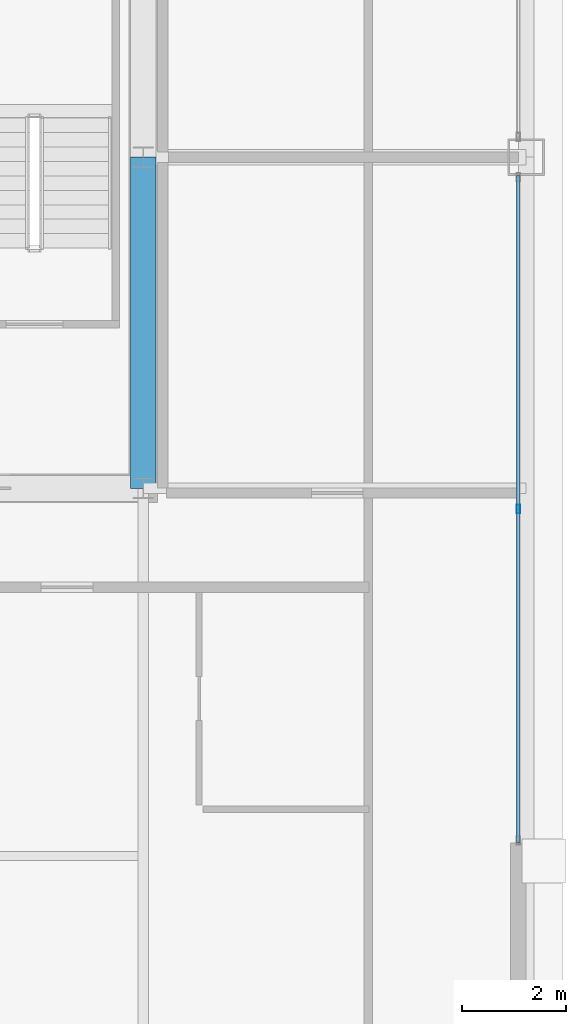
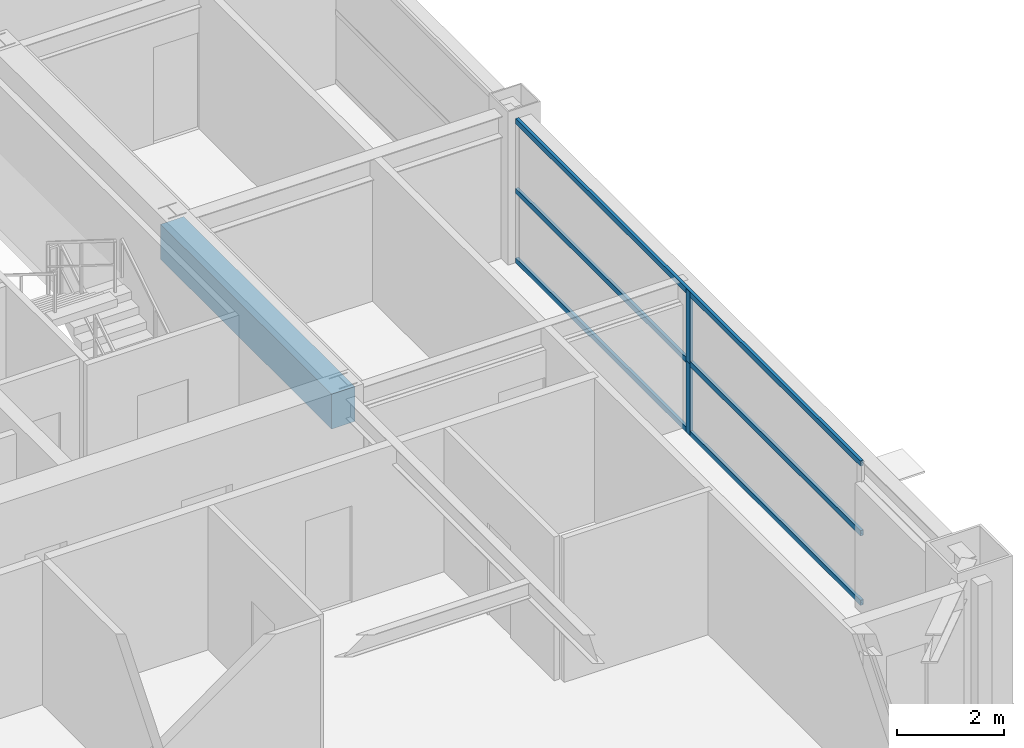
# One storey, part 19 of 36: 5 members, 1 beam, 1 element without a shape of its own.
"""IFC4 building model written with IfcOpenShell, lengths in metres."""

import ifcopenshell
import ifcopenshell.guid

model = None  # the IFC model being written
_history = None  # IfcOwnerHistory: only IFC2X3 demands one
_inside = {}  # id of a spatial element -> (the spatial element, [elements in it])
_under = {}  # id of a project, library or spatial element -> (it, [spatial elements below it])
_declared = {}  # id of a project -> (the project, [libraries it declares])
_typed = {}  # id of a type object -> (the type object, [elements of that type])
_made_of = {}  # id of a material, layer set ... -> (it, [elements and type objects made of it])


def new_model(schema):
    """Start an empty IFC model of exactly this schema.

    Asked for "IFC4X3", IfcOpenShell would pick the latest addendum, in which some entities
    have other attributes; the version numbers below select the first issue.
    IFC2X3 requires an IfcOwnerHistory on every rooted entity: one is made here for all.
    """
    global model, _history
    if schema == "IFC4X3":
        model = ifcopenshell.file(schema_version=(4, 3, 0, 0))
    else:
        model = ifcopenshell.file(schema=schema)
    _inside.clear()
    _under.clear()
    _declared.clear()
    _typed.clear()
    _made_of.clear()
    _history = None
    if model.schema == "IFC2X3":
        org = make("IfcOrganization", Name="unknown")
        user = make(
            "IfcPersonAndOrganization",
            ThePerson=make("IfcPerson", FamilyName="unknown"),
            TheOrganization=org,
        )
        app = make(
            "IfcApplication",
            ApplicationDeveloper=org,
            Version="unknown",
            ApplicationFullName="unknown",
            ApplicationIdentifier="unknown",
        )
        _history = make(
            "IfcOwnerHistory",
            OwningUser=user,
            OwningApplication=app,
            ChangeAction="ADDED",
            CreationDate=0,
        )
    return model


def make(cls, **values):
    """One entity of the class cls with the attributes given. An attribute that is None is left unset."""
    return model.create_entity(
        cls, **{name: value for name, value in values.items() if value is not None}
    )


def rooted(cls, **values):
    """An entity with a GlobalId (a new one), such as an element, a storey or a relation."""
    return make(cls, GlobalId=ifcopenshell.guid.new(), OwnerHistory=_history, **values)


def si_unit(unit_type, name, prefix=None):
    """IfcSIUnit, for example si_unit("LENGTHUNIT", "METRE", prefix="MILLI")."""
    return make("IfcSIUnit", UnitType=unit_type, Prefix=prefix, Name=name)


def assignment(units):
    """IfcUnitAssignment: the units of a project."""
    return None if units is None else make("IfcUnitAssignment", Units=units)


def point(xyz):
    """IfcCartesianPoint."""
    return None if xyz is None else make("IfcCartesianPoint", Coordinates=xyz)


def direction(xyz):
    """IfcDirection."""
    return None if xyz is None else make("IfcDirection", DirectionRatios=xyz)


def frame(location, z_axis=None, x_axis=None):
    """IfcAxis2Placement3D, a coordinate frame: its origin and axes. An axis left out is left unset."""
    return make(
        "IfcAxis2Placement3D",
        Location=point(location),
        Axis=direction(z_axis),
        RefDirection=direction(x_axis),
    )


def frame_2d(location, x_axis=None):
    """IfcAxis2Placement2D, a coordinate frame in the plane: its origin and x axis."""
    return make(
        "IfcAxis2Placement2D", Location=point(location), RefDirection=direction(x_axis)
    )


def origin():
    """The frame at (0, 0, 0) with its axes left unset."""
    return frame((0.0, 0.0, 0.0))


def origin_2d():
    """The frame at (0, 0) in the plane with its x axis left unset."""
    return frame_2d((0.0, 0.0))


def place(relative_to, where):
    """IfcLocalPlacement: puts the frame where relative to a parent placement (None: the world)."""
    return make(
        "IfcLocalPlacement", PlacementRelTo=relative_to, RelativePlacement=where
    )


def context(
    kind, dimensions, precision=None, world=None, true_north=None, identifier=None
):
    """IfcGeometricRepresentationContext, for example the 3D "Model" context."""
    return make(
        "IfcGeometricRepresentationContext",
        ContextIdentifier=identifier,
        ContextType=kind,
        CoordinateSpaceDimension=dimensions,
        Precision=precision,
        WorldCoordinateSystem=world,
        TrueNorth=true_north,
    )


def subcontext(parent, identifier, kind, view, scale=None):
    """IfcGeometricRepresentationSubContext, for example "Body" below "Model"."""
    return make(
        "IfcGeometricRepresentationSubContext",
        ContextIdentifier=identifier,
        ContextType=kind,
        ParentContext=parent,
        TargetScale=scale,
        TargetView=view,
    )


def project(units=None, contexts=None):
    """IfcProject with its units and contexts."""
    return rooted(
        "IfcProject",
        Name="project",
        RepresentationContexts=contexts,
        UnitsInContext=assignment(units),
    )


def spatial(cls, under=None, at=None, **own):
    """A site, building, storey or space (cls), placed at a placement, below another one or the project."""
    s = rooted(cls, ObjectPlacement=at, **own)
    if under is not None:
        _under.setdefault(under.id(), (under, []))[1].append(s)
    return s


def profile(cls, at=None, kind="AREA", **sizes):
    """A parametric profile (cls). Its sizes go by their IFC names, for example OverallWidth=200.0."""
    return make(cls, ProfileType=kind, Position=at, **sizes)


def rectangle(**sizes):
    """IfcRectangleProfileDef."""
    return profile("IfcRectangleProfileDef", **sizes)


def hollow_rectangle(**sizes):
    """IfcRectangleHollowProfileDef."""
    return profile("IfcRectangleHollowProfileDef", **sizes)


def extrude(swept, where, along, depth):
    """IfcExtrudedAreaSolid: the profile swept, set in the frame where, extruded along a direction by depth."""
    return make(
        "IfcExtrudedAreaSolid",
        SweptArea=swept,
        Position=where,
        ExtrudedDirection=direction(along),
        Depth=depth,
    )


def shape(context_of_items, identifier, shape_type, items):
    """IfcShapeRepresentation: the items that make up one representation, for example the "Body"."""
    return make(
        "IfcShapeRepresentation",
        ContextOfItems=context_of_items,
        RepresentationIdentifier=identifier,
        RepresentationType=shape_type,
        Items=items,
    )


def source(mapping_origin, context_of_items, identifier, shape_type, items):
    """IfcRepresentationMap: a shape defined once, which mapped items show again and again."""
    return make(
        "IfcRepresentationMap",
        MappingOrigin=mapping_origin,
        MappedRepresentation=shape(context_of_items, identifier, shape_type, items),
    )


def transform(
    local_origin,
    x_axis=None,
    y_axis=None,
    z_axis=None,
    scale=None,
    scale2=None,
    scale3=None,
    uniform=True,
):
    """IfcCartesianTransformationOperator3D, or its non-uniform kind. x_axis, y_axis, z_axis: its Axis1, 2, 3."""
    if uniform:
        return make(
            "IfcCartesianTransformationOperator3D",
            Axis1=direction(x_axis),
            Axis2=direction(y_axis),
            LocalOrigin=point(local_origin),
            Scale=scale,
            Axis3=direction(z_axis),
        )
    return make(
        "IfcCartesianTransformationOperator3DnonUniform",
        Axis1=direction(x_axis),
        Axis2=direction(y_axis),
        LocalOrigin=point(local_origin),
        Scale=scale,
        Axis3=direction(z_axis),
        Scale2=scale2,
        Scale3=scale3,
    )


def mapped(mapping_source, mapping_target):
    """IfcMappedItem: shows the shape of a source again, moved by a transform."""
    return make(
        "IfcMappedItem", MappingSource=mapping_source, MappingTarget=mapping_target
    )


def material(Name=None, Category=None):
    """IfcMaterial."""
    return make("IfcMaterial", Name=Name, Category=Category)


def layer(
    of_material, thickness, ventilated=None, Name=None, Category=None, Priority=None
):
    """IfcMaterialLayer: one layer of a wall or slab, of a material (None: an air gap)."""
    return make(
        "IfcMaterialLayer",
        Material=of_material,
        LayerThickness=thickness,
        IsVentilated=ventilated,
        Name=Name,
        Category=Category,
        Priority=Priority,
    )


def layer_set(layers, Name=None):
    """IfcMaterialLayerSet."""
    return make("IfcMaterialLayerSet", MaterialLayers=layers, LayerSetName=Name)


def material_profile(
    of_material, cross_section, Name=None, Category=None, Priority=None
):
    """IfcMaterialProfile: a cross section and its material."""
    return make(
        "IfcMaterialProfile",
        Name=Name,
        Material=of_material,
        Profile=cross_section,
        Priority=Priority,
        Category=Category,
    )


def profile_set(profiles, Name=None, composite=None):
    """IfcMaterialProfileSet."""
    return make(
        "IfcMaterialProfileSet",
        Name=Name,
        MaterialProfiles=profiles,
        CompositeProfile=composite,
    )


def made_of(thing, what):
    """Note that an element or type object is made of a material, layer set ...; save() writes the relation."""
    if what is not None:
        _made_of.setdefault(what.id(), (what, []))[1].append(thing)
    return thing


def type_object(cls, material=None, **own):
    """A type object (cls), such as IfcWallType, which elements share."""
    return made_of(rooted(cls, **own), material)


def element(
    cls,
    number,
    at=None,
    inside=None,
    cuts=None,
    type_object=None,
    material=None,
    context=None,
    identifier="Body",
    shape_type=None,
    held_by="IfcProductDefinitionShape",
    body=None,
    shapes=None,
    **own,
):
    """One element of the class cls, such as IfcWall. Its Tag is "e" and its number.

    at: its placement. inside: the storey or other place that contains it. cuts: it is an
    opening in that element (IfcRelVoidsElement). A single representation is given by context,
    identifier, shape_type and body (its items); several are given by shapes. held_by: the class
    of the entity that holds the representations. save() writes the other relations.
    """
    e = rooted(cls, Tag="e%d" % number, ObjectPlacement=at, **own)
    if body is not None:
        shapes = [shape(context, identifier, shape_type, body)]
    if shapes is not None:
        e.Representation = make(held_by, Representations=shapes)
    if inside is not None:
        _inside.setdefault(inside.id(), (inside, []))[1].append(e)
    if cuts is not None:
        rooted(
            "IfcRelVoidsElement", RelatingBuildingElement=cuts, RelatedOpeningElement=e
        )
    if type_object is not None:
        _typed.setdefault(type_object.id(), (type_object, []))[1].append(e)
    return made_of(e, material)


def aggregate(whole, parts):
    """IfcRelAggregates: a whole, such as a stair, and the parts it consists of."""
    return rooted("IfcRelAggregates", RelatingObject=whole, RelatedObjects=parts)


def save(model, path):
    """Write the relations noted so far, then the file.

    IfcRelAggregates (storeys below a building ...), IfcRelContainedInSpatialStructure (elements
    in a storey), IfcRelDefinesByType, IfcRelAssociatesMaterial and IfcRelDeclares: one each for
    every whole, place, type object, material and project.
    """
    for whole, parts in _under.values():
        aggregate(whole, parts)
    for where, things in _inside.values():
        rooted(
            "IfcRelContainedInSpatialStructure",
            RelatedElements=things,
            RelatingStructure=where,
        )
    for kind, things in _typed.values():
        rooted("IfcRelDefinesByType", RelatedObjects=things, RelatingType=kind)
    for what, things in _made_of.values():
        rooted("IfcRelAssociatesMaterial", RelatedObjects=things, RelatingMaterial=what)
    for by, libraries in _declared.values():
        rooted("IfcRelDeclares", RelatingContext=by, RelatedDefinitions=libraries)
    model.write(path)


model = new_model("IFC4")

# Units and contexts
model_context = context("Model", 3, precision=1e-05, world=origin(), true_north=direction((0.0, 1.0)))
body_context = subcontext(model_context, "Body", "Model", "MODEL_VIEW")
ifc_project = project(units=[si_unit("LENGTHUNIT", "METRE"), si_unit("AREAUNIT", "SQUARE_METRE"), si_unit("VOLUMEUNIT", "CUBIC_METRE"), si_unit("PLANEANGLEUNIT", "RADIAN"), si_unit("MASSUNIT", "GRAM", prefix="KILO"), si_unit("THERMODYNAMICTEMPERATUREUNIT", "KELVIN"), si_unit("POWERUNIT", "WATT")], contexts=[model_context])

# Site, building, storey
site_placement = place(None, origin())
site = spatial("IfcSite", under=ifc_project, at=site_placement, CompositionType="ELEMENT")
building_placement = place(site_placement, origin())
building = spatial("IfcBuilding", under=site, at=building_placement, Name="Yuzanri Waterfront Tower", CompositionType="ELEMENT")
storey_placement = place(building_placement, frame((0.0, 0.0, 238.10009765625)))
storey = spatial("IfcBuildingStorey", under=building, at=storey_placement, Name="L63", CompositionType="ELEMENT", Elevation=238.10009765625)

# Beam
ifc_material_1 = material(Name="Concrete C50", Category="concrete")
ifc_material_profile_1 = material_profile(ifc_material_1, rectangle(XDim=0.5, YDim=0.800048828125, at=origin_2d()), Name="RC 500x800")
ifc_profile_set_1 = profile_set([ifc_material_profile_1], Name="Concrete C50")
beam_type = type_object("IfcBeamType", Name="Core Coupling Lintel Concrete C50 500x800", PredefinedType="LINTEL", material=ifc_profile_set_1)
shared_shape_1 = source(origin(), body_context, "Body", "SweptSolid", [
    extrude(rectangle(XDim=0.5, YDim=0.800048828125, at=origin_2d()), origin(), (0.0, 0.0, 1.0), 6.400146484375),
])
beam_placement = place(storey_placement, frame((50.199951171875, 19.39990234375, 2.8798828125), z_axis=(0.0, 1.0, 0.0), x_axis=(-1.0, 0.0, 0.0)))
element("IfcBeam", 1, at=beam_placement, inside=storey, type_object=beam_type, Name="L63 Core Tie Beam CE1", PredefinedType="LINTEL", context=body_context, shape_type="MappedRepresentation", body=[
    mapped(shared_shape_1, transform((0.0, 0.0, 0.0), scale=1.0)),
])

# Curtain wall, members
ifc_material_2 = material(Name="Anodized Architectural Bronze", Category="metal")
ifc_layer = layer(ifc_material_2, 0.159912109375)
ifc_layer_set = layer_set([ifc_layer], Name="Anodized Architectural Bronze")
curtain_wall_type = type_object("IfcCurtainWallType", Name="Anodized Bronze Mid-Rise Residential Acoustic Unitized Curtain Wall 7200", PredefinedType="NOTDEFINED", material=ifc_layer_set)
curtain_wall_placement = place(storey_placement, origin())
curtain_wall = element("IfcCurtainWall", 2, at=curtain_wall_placement, inside=storey, type_object=curtain_wall_type, Name="L63 Curtain Wall CW-L63-EL", PredefinedType="NOTDEFINED")
ifc_material_3 = material(Name="Anodized Architectural Bronze", Category="metal")
ifc_material_profile_2 = material_profile(ifc_material_3, hollow_rectangle(XDim=0.06494140625, YDim=0.159912109375, WallThickness=0.00341796875, at=origin_2d()), Name="CWM 65x160")
ifc_profile_set_2 = profile_set([ifc_material_profile_2], Name="Anodized Architectural Bronze")
member_type_1 = type_object("IfcMemberType", Name="Anodized Bronze Upper-Zone Curtain-Wall Mullion 65x160", PredefinedType="MULLION", material=ifc_profile_set_2)
shared_shape_2 = source(origin(), body_context, "Body", "SweptSolid", [
    extrude(hollow_rectangle(XDim=0.06494140625, YDim=0.159912109375, WallThickness=0.00341796875, at=origin_2d()), origin(), (0.0, 0.0, 1.0), 1.637939453125),
])
member_1_placement = place(storey_placement, frame((57.449951171875, 19.0, 0.0), z_axis=(0.0, 0.0, 1.0), x_axis=(1.0, 0.0, 0.0)))
member_1 = element("IfcMember", 3, at=member_1_placement, type_object=member_type_1, Name="CW-L63-EL Lower Mullion 01", PredefinedType="MULLION", context=body_context, shape_type="MappedRepresentation", body=[
    mapped(shared_shape_2, transform((0.0, 0.0, 0.0), scale=1.0)),
])
member_2_placement = place(storey_placement, frame((57.449951171875, 19.0, 1.641845703125), z_axis=(0.0, 0.0, 1.0), x_axis=(1.0, 0.0, 0.0)))
member_2 = element("IfcMember", 4, at=member_2_placement, type_object=member_type_1, Name="CW-L63-EL Upper Mullion 01", PredefinedType="MULLION", context=body_context, shape_type="MappedRepresentation", body=[
    mapped(shared_shape_2, transform((0.0, 0.0, 0.0), scale=1.0)),
])
ifc_material_4 = material(Name="Anodized Architectural Bronze", Category="metal")
ifc_material_profile_3 = material_profile(ifc_material_4, hollow_rectangle(XDim=0.06494140625, YDim=0.1201171875, WallThickness=0.00341796875, at=origin_2d()), Name="CWT 65x120")
ifc_profile_set_3 = profile_set([ifc_material_profile_3], Name="Anodized Architectural Bronze")
member_type_2 = type_object("IfcMemberType", Name="Anodized Bronze Secondary Curtain-Wall Transom 65x120", PredefinedType="USERDEFINED", material=ifc_profile_set_3)
shared_shape_3 = source(origin(), body_context, "Body", "SweptSolid", [
    extrude(hollow_rectangle(XDim=0.06494140625, YDim=0.1201171875, WallThickness=0.00341796875, at=origin_2d()), origin(), (0.0, 0.0, 1.0), 12.89990234375),
])
member_3_placement = place(storey_placement, frame((57.449951171875, 12.550048828125, 0.0498046875), z_axis=(0.0, 1.0, 0.0), x_axis=(-1.0, 0.0, 0.0)))
member_3 = element("IfcMember", 5, at=member_3_placement, type_object=member_type_2, Name="CW-L63-EL Transom 1", ObjectType="TRANSOM", PredefinedType="USERDEFINED", context=body_context, shape_type="MappedRepresentation", body=[
    mapped(shared_shape_3, transform((0.0, 0.0, 0.0), scale=1.0)),
])
member_4_placement = place(storey_placement, frame((57.449951171875, 12.550048828125, 1.639892578125), z_axis=(0.0, 1.0, 0.0), x_axis=(-1.0, 0.0, 0.0)))
member_4 = element("IfcMember", 6, at=member_4_placement, type_object=member_type_2, Name="CW-L63-EL Transom 2", ObjectType="TRANSOM", PredefinedType="USERDEFINED", context=body_context, shape_type="MappedRepresentation", body=[
    mapped(shared_shape_3, transform((0.0, 0.0, 0.0), scale=1.0)),
])
member_5_placement = place(storey_placement, frame((57.449951171875, 12.550048828125, 3.22998046875), z_axis=(0.0, 1.0, 0.0), x_axis=(-1.0, 0.0, 0.0)))
member_5 = element("IfcMember", 7, at=member_5_placement, type_object=member_type_2, Name="CW-L63-EL Transom 3", ObjectType="TRANSOM", PredefinedType="USERDEFINED", context=body_context, shape_type="MappedRepresentation", body=[
    mapped(shared_shape_3, transform((0.0, 0.0, 0.0), scale=1.0)),
])
aggregate(curtain_wall, [member_1, member_2, member_3, member_4, member_5])

save(model, "model.ifc")
